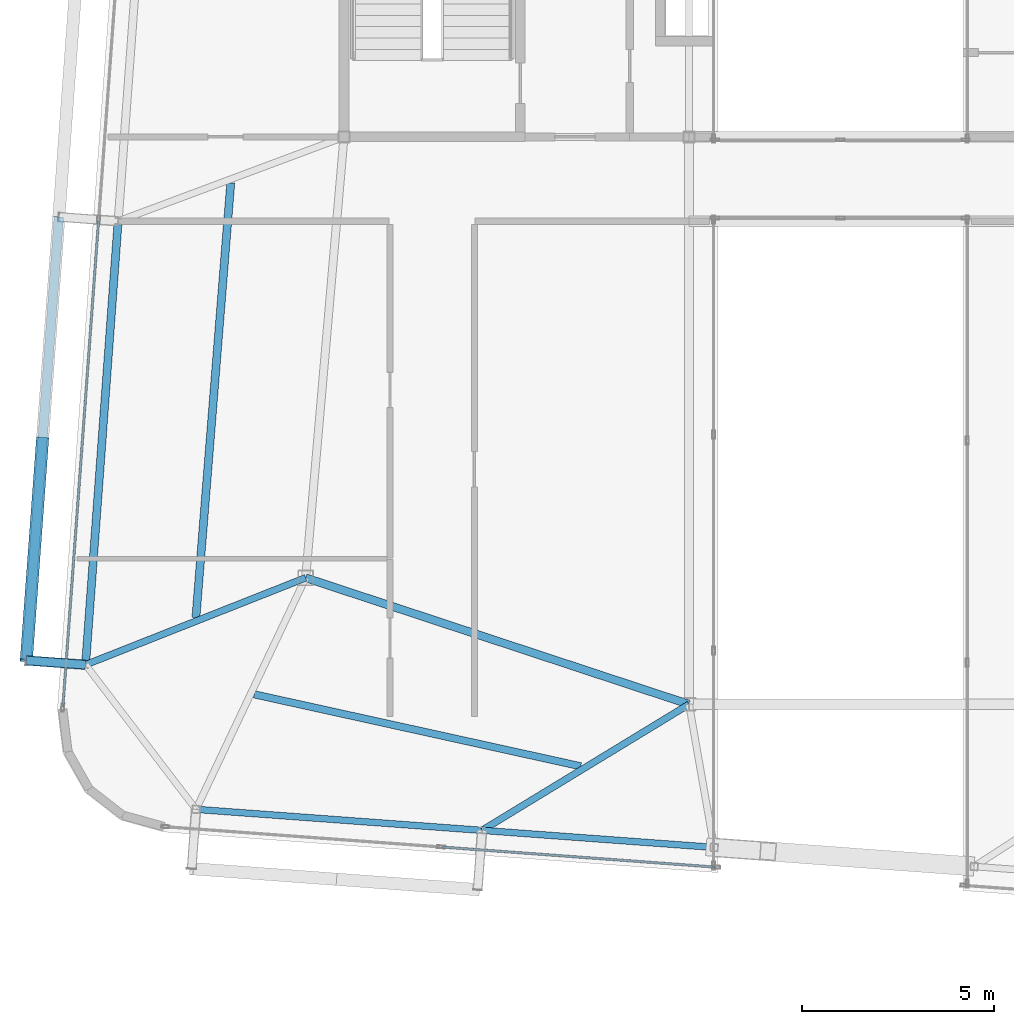
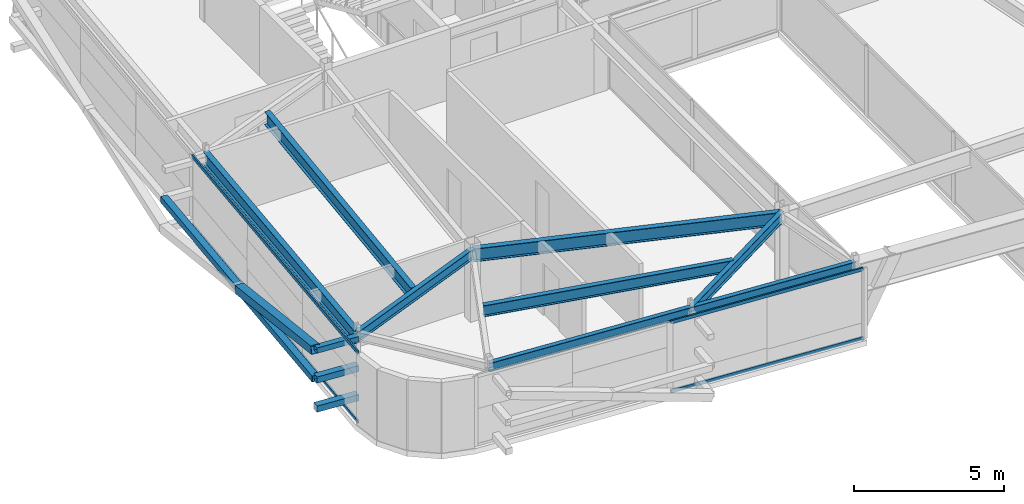
# One storey, part 10 of 40: 9 members, 8 beams, 2 elements without a shape of their own.
"""IFC4 building model written with IfcOpenShell, lengths in metres."""

from ifc_helpers import new_model, si_unit, direction, frame, origin, origin_2d, place, context, subcontext, project, spatial, hollow_rectangle, i_section, extrude, source, transform, mapped, material, layer, layer_set, material_profile, profile_set, type_object, element, aggregate, save


model = new_model("IFC4")

# Units and contexts
model_context = context("Model", 3, precision=1e-05, world=origin(), true_north=direction((0.0, 1.0)))
body_context = subcontext(model_context, "Body", "Model", "MODEL_VIEW")
ifc_project = project(units=[si_unit("LENGTHUNIT", "METRE"), si_unit("AREAUNIT", "SQUARE_METRE"), si_unit("VOLUMEUNIT", "CUBIC_METRE"), si_unit("PLANEANGLEUNIT", "RADIAN"), si_unit("MASSUNIT", "GRAM", prefix="KILO")], contexts=[model_context])

# Site, building, storey
site_placement = place(None, origin())
site = spatial("IfcSite", under=ifc_project, at=site_placement, CompositionType="ELEMENT")
building_placement = place(site_placement, origin())
building = spatial("IfcBuilding", under=site, at=building_placement, Name="Taldren Reach Tower", CompositionType="ELEMENT")
storey_placement = place(building_placement, frame((0.0, 0.0, 233.449951171875)))
storey = spatial("IfcBuildingStorey", under=building, at=storey_placement, Name="L71", CompositionType="ELEMENT", Elevation=233.449951171875)

# Beams
ifc_material_1 = material(Name="Steel Gr 350 (350PLUS)", Category="steel")
ifc_material_profile_1 = material_profile(ifc_material_1, i_section(OverallWidth=0.208984375, OverallDepth=0.532958984375, WebThickness=0.01025390625, FlangeThickness=0.015625, at=origin_2d()), Name="530UB92.4")
ifc_profile_set_1 = profile_set([ifc_material_profile_1], Name="Steel Gr 350 (350PLUS)")
beam_type_1 = type_object("IfcBeamType", Name="BM-UB530A", PredefinedType="BEAM", material=ifc_profile_set_1)
shared_shape_1 = source(origin(), body_context, "Body", "SweptSolid", [
    extrude(i_section(OverallWidth=0.208984375, OverallDepth=0.532958984375, WebThickness=0.01025390625, FlangeThickness=0.015625, at=origin_2d()), origin(), (0.0, 0.0, 1.0), 10.530517578125),
])
beam_1_placement = place(storey_placement, frame((18.0, 12.5, 2.603515625), z_axis=(0.949627269203, -0.313381635689, 0.0), x_axis=(0.313381635689, 0.949627269203, 0.0)))
element("IfcBeam", 1, at=beam_1_placement, inside=storey, type_object=beam_type_1, Name="Core-spine girder L71-SP10", PredefinedType="BEAM", context=body_context, shape_type="MappedRepresentation", body=[
    mapped(shared_shape_1, transform((0.0, 0.0, 0.0), scale=1.0)),
])
ifc_material_profile_2 = material_profile(ifc_material_1, i_section(OverallWidth=0.172119140625, OverallDepth=0.35888671875, WebThickness=0.008056640625, FlangeThickness=0.012939453125, at=origin_2d()), Name="360UB56.7")
ifc_profile_set_2 = profile_set([ifc_material_profile_2], Name="Steel Gr 350 (350PLUS)")
beam_type_2 = type_object("IfcBeamType", Name="SP-UB360", PredefinedType="SPANDREL", material=ifc_profile_set_2)
shared_shape_2 = source(origin(), body_context, "Body", "SweptSolid", [
    extrude(i_section(OverallWidth=0.172119140625, OverallDepth=0.35888671875, WebThickness=0.008056640625, FlangeThickness=0.012939453125, at=origin_2d()), origin(), (0.0, 0.0, 1.0), 7.47998046875),
])
beam_2_placement = place(storey_placement, frame((15.140625, 6.460205078125, 2.6904296875), z_axis=(0.997314220642, -0.07324169103, 0.0), x_axis=(0.07324169103, 0.997314220642, 0.0)))
element("IfcBeam", 2, at=beam_2_placement, inside=storey, type_object=beam_type_2, Name="Perimeter spandrel B5 S1-S2 L71", PredefinedType="SPANDREL", context=body_context, shape_type="MappedRepresentation", body=[
    mapped(shared_shape_2, transform((0.0, 0.0, 0.0), scale=1.0)),
])
shared_shape_3 = source(origin(), body_context, "Body", "SweptSolid", [
    extrude(i_section(OverallWidth=0.172119140625, OverallDepth=0.35888671875, WebThickness=0.008056640625, FlangeThickness=0.012939453125, at=origin_2d()), origin(), (0.0, 0.0, 1.0), 6.070068359375),
])
beam_3_placement = place(storey_placement, frame((22.6005859375, 5.912353515625, 2.6904296875), z_axis=(0.997314196413, -0.073242020958, 0.0), x_axis=(0.073242020958, 0.997314196413, 0.0)))
element("IfcBeam", 3, at=beam_3_placement, inside=storey, type_object=beam_type_2, Name="Perimeter spandrel B5 S2-PJ1 L71", PredefinedType="SPANDREL", context=body_context, shape_type="MappedRepresentation", body=[
    mapped(shared_shape_3, transform((0.0, 0.0, 0.0), scale=1.0)),
])
ifc_material_profile_3 = material_profile(ifc_material_1, i_section(OverallWidth=0.208984375, OverallDepth=0.528076171875, WebThickness=0.009521484375, FlangeThickness=0.01318359375, at=origin_2d()), Name="530UB82.0")
ifc_profile_set_3 = profile_set([ifc_material_profile_3], Name="Steel Gr 350 (350PLUS)")
beam_type_3 = type_object("IfcBeamType", Name="SP-UB530B", PredefinedType="SPANDREL", material=ifc_profile_set_3)
shared_shape_4 = source(origin(), body_context, "Body", "SweptSolid", [
    extrude(i_section(OverallWidth=0.208984375, OverallDepth=0.528076171875, WebThickness=0.009521484375, FlangeThickness=0.01318359375, at=origin_2d()), origin(), (0.0, 0.0, 1.0), 11.60009765625),
])
beam_4_placement = place(storey_placement, frame((13.108642578125, 21.80029296875, 2.60595703125), z_axis=(-0.073242167855, -0.997314185625, 0.0), x_axis=(0.997314185625, -0.073242167855, 0.0)))
element("IfcBeam", 4, at=beam_4_placement, inside=storey, type_object=beam_type_3, Name="Perimeter spandrel B5 W2-W1 L71", PredefinedType="SPANDREL", context=body_context, shape_type="MappedRepresentation", body=[
    mapped(shared_shape_4, transform((0.0, 0.0, 0.0), scale=1.0)),
])
ifc_material_profile_4 = material_profile(ifc_material_1, i_section(OverallWidth=0.177978515625, OverallDepth=0.406005859375, WebThickness=0.0078125, FlangeThickness=0.0126953125, at=origin_2d()), Name="410UB59.7")
ifc_profile_set_4 = profile_set([ifc_material_profile_4], Name="Steel Gr 350 (350PLUS)")
beam_type_4 = type_object("IfcBeamType", Name="BM-UB410", PredefinedType="BEAM", material=ifc_profile_set_4)
shared_shape_5 = source(origin(), body_context, "Body", "SweptSolid", [
    extrude(i_section(OverallWidth=0.177978515625, OverallDepth=0.406005859375, WebThickness=0.0078125, FlangeThickness=0.0126953125, at=origin_2d()), origin(), (0.0, 0.0, 1.0), 6.321533203125),
])
beam_5_placement = place(storey_placement, frame((28.0, 9.199951171875, 2.6669921875), z_axis=(-0.854128445192, -0.520062110823, 0.0), x_axis=(0.520062110823, -0.854128445192, 0.0)))
element("IfcBeam", 5, at=beam_5_placement, inside=storey, type_object=beam_type_4, Name="Primary floor girder B5-S2 L71", PredefinedType="BEAM", context=body_context, shape_type="MappedRepresentation", body=[
    mapped(shared_shape_5, transform((0.0, 0.0, 0.0), scale=1.0)),
])
shared_shape_6 = source(origin(), body_context, "Body", "SweptSolid", [
    extrude(i_section(OverallWidth=0.177978515625, OverallDepth=0.406005859375, WebThickness=0.0078125, FlangeThickness=0.0126953125, at=origin_2d()), origin(), (0.0, 0.0, 1.0), 6.1728515625),
])
beam_6_placement = place(storey_placement, frame((18.0, 12.5, 2.6669921875), z_axis=(-0.930023287794, -0.367500590695, 0.0), x_axis=(0.367500590695, -0.930023287794, 0.0)))
element("IfcBeam", 6, at=beam_6_placement, inside=storey, type_object=beam_type_4, Name="Primary floor girder B5-W1 L71", PredefinedType="BEAM", context=body_context, shape_type="MappedRepresentation", body=[
    mapped(shared_shape_6, transform((0.0, 0.0, 0.0), scale=1.0)),
])
ifc_material_profile_5 = material_profile(ifc_material_1, i_section(OverallWidth=0.19091796875, OverallDepth=0.4599609375, WebThickness=0.010009765625, FlangeThickness=0.01611328125, at=origin_2d()), Name="460UB82.1")
ifc_profile_set_5 = profile_set([ifc_material_profile_5], Name="Steel Gr 350 (350PLUS)")
beam_type_5 = type_object("IfcBeamType", Name="BM-UB460A", PredefinedType="BEAM", material=ifc_profile_set_5)
shared_shape_7 = source(origin(), body_context, "Body", "SweptSolid", [
    extrude(i_section(OverallWidth=0.19091796875, OverallDepth=0.4599609375, WebThickness=0.010009765625, FlangeThickness=0.01611328125, at=origin_2d()), origin(), (0.0, 0.0, 1.0), 8.719482421875),
])
beam_7_placement = place(storey_placement, frame((16.659423828125, 9.46044921875, 2.64013671875), z_axis=(0.976568964704, -0.2152046867, 0.0), x_axis=(0.2152046867, 0.976568964704, 0.0)))
element("IfcBeam", 7, at=beam_7_placement, inside=storey, type_object=beam_type_5, Name="Secondary floor beam B5 J1 L71", PredefinedType="BEAM", context=body_context, shape_type="MappedRepresentation", body=[
    mapped(shared_shape_7, transform((0.0, 0.0, 0.0), scale=1.0)),
])
shared_shape_8 = source(origin(), body_context, "Body", "SweptSolid", [
    extrude(i_section(OverallWidth=0.208984375, OverallDepth=0.532958984375, WebThickness=0.01025390625, FlangeThickness=0.015625, at=origin_2d()), origin(), (0.0, 0.0, 1.0), 11.3740234375),
])
beam_8_placement = place(storey_placement, frame((15.137451171875, 11.464599609375, 2.603515625), z_axis=(0.079913287803, 0.996801819036, 0.0), x_axis=(-0.996801819036, 0.079913287803, 0.0)))
element("IfcBeam", 8, at=beam_8_placement, inside=storey, type_object=beam_type_1, Name="Secondary floor beam B5 J6 L71", PredefinedType="BEAM", context=body_context, shape_type="MappedRepresentation", body=[
    mapped(shared_shape_8, transform((0.0, 0.0, 0.0), scale=1.0)),
])

# Members
ifc_material_2 = material(Name="Steel Gr 450 (C450L0)", Category="steel")
ifc_material_profile_6 = material_profile(ifc_material_2, hollow_rectangle(XDim=0.219970703125, YDim=0.219970703125, WallThickness=0.00830078125, at=origin_2d()), Name="220x220x8.2SHS")
ifc_profile_set_6 = profile_set([ifc_material_profile_6], Name="Steel Gr 450 (C450L0)")
member_type_1 = type_object("IfcMemberType", Name="MB-TIE219", PredefinedType="STRUT", material=ifc_profile_set_6)
shared_shape_9 = source(origin(), body_context, "Body", "SweptSolid", [
    extrude(hollow_rectangle(XDim=0.219970703125, YDim=0.219970703125, WallThickness=0.00830078125, at=origin_2d()), origin(), (0.0, 0.0, 1.0), 1.5458984375),
])
member_1_placement = place(storey_placement, frame((12.255126953125, 10.231689453125, 2.590087890625), z_axis=(-0.997311530447, 0.073278313559, 0.0), x_axis=(-0.073278313559, -0.997311530447, 0.0)))
element("IfcMember", 9, at=member_1_placement, inside=storey, type_object=member_type_1, Name="Exoskeleton diaphragm tie strut B5-W1 L71", PredefinedType="STRUT", context=body_context, shape_type="MappedRepresentation", body=[
    mapped(shared_shape_9, transform((0.0, 0.0, 0.0), scale=1.0)),
])
ifc_material_3 = material(Name="Steel Gr 350 (C350L0)", Category="steel")
ifc_material_profile_7 = material_profile(ifc_material_3, hollow_rectangle(XDim=0.25, YDim=0.25, WallThickness=0.010009765625, at=origin_2d()), Name="250x250x10.0SHS")
ifc_profile_set_7 = profile_set([ifc_material_profile_7], Name="Steel Gr 350 (C350L0)")
member_type_2 = type_object("IfcMemberType", Name="MB-POST250", PredefinedType="POST", material=ifc_profile_set_7)
shared_shape_10 = source(origin(), body_context, "Body", "SweptSolid", [
    extrude(hollow_rectangle(XDim=0.25, YDim=0.25, WallThickness=0.010009765625, at=origin_2d()), origin(), (0.0, 0.0, 1.0), 11.60009765625),
])
member_2_placement = place(storey_placement, frame((10.71337890625, 10.344970703125, 1.405029296875), z_axis=(0.073221234109, 0.997315722766, 0.0), x_axis=(-0.997315722766, 0.073221234109, 0.0)))
element("IfcMember", 10, at=member_2_placement, inside=storey, type_object=member_type_2, Name="Exoskeleton mid-height ring chord B5-W1 L71", PredefinedType="POST", context=body_context, shape_type="MappedRepresentation", body=[
    mapped(shared_shape_10, transform((0.0, 0.0, 0.0), scale=1.0)),
])
shared_shape_11 = source(origin(), body_context, "Body", "SweptSolid", [
    extrude(hollow_rectangle(XDim=0.25, YDim=0.25, WallThickness=0.010009765625, at=origin_2d()), origin(), (0.0, 0.0, 1.0), 1.5458984375),
])
for number, where, z_axis, x_axis, name in (
    (11, (12.255126953125, 10.231689453125, 0.219970703125), (-0.997311530447, 0.073278313559, 0.0), (-0.073278313559, -0.997311530447, 0.0), "Exoskeleton base diaphragm tie strut B5-W1 L71"),
    (12, (12.255126953125, 10.231689453125, 1.405029296875), (-0.997311530447, 0.073278313559, 0.0), (-0.073278313559, -0.997311530447, 0.0), "Exoskeleton mid-tier diaphragm tie B5-W1 L71"),
):
    element("IfcMember", number, at=place(storey_placement, frame(where, z_axis=z_axis, x_axis=x_axis)), inside=storey, type_object=member_type_2, Name=name, PredefinedType="POST", context=body_context, shape_type="MappedRepresentation", body=[
        mapped(shared_shape_11, transform((0.0, 0.0, 0.0), scale=1.0)),
    ])
ifc_material_profile_8 = material_profile(ifc_material_2, hollow_rectangle(XDim=0.324951171875, YDim=0.324951171875, WallThickness=0.0126953125, at=origin_2d()), Name="325x325x12.7SHS")
ifc_profile_set_8 = profile_set([ifc_material_profile_8], Name="Steel Gr 450 (C450L0)")
member_type_3 = type_object("IfcMemberType", Name="MB-BR324", PredefinedType="BRACE", material=ifc_profile_set_8)
shared_shape_12 = source(origin(), body_context, "Body", "SweptSolid", [
    extrude(hollow_rectangle(XDim=0.324951171875, YDim=0.324951171875, WallThickness=0.0126953125, at=origin_2d()), origin(), (0.0, 0.0, 1.0), 5.919921875),
])
member_3_placement = place(storey_placement, frame((11.137939453125, 16.12939453125, 1.405029296875), z_axis=(-0.071718585697, -0.977129643997, 0.200185172497), x_axis=(0.997317259472, -0.073200300267, 0.0)))
element("IfcMember", 13, at=member_3_placement, inside=storey, type_object=member_type_3, Name="Exoskeleton Diagrid Brace B5-W1 L71", PredefinedType="BRACE", context=body_context, shape_type="MappedRepresentation", body=[
    mapped(shared_shape_12, transform((0.0, 0.0, 0.0), scale=1.0)),
])

# Curtain wall, members
ifc_material_4 = material(Name="Aluminium and Low-E Glass Unitised System", Category="aluminium")
ifc_layer = layer(ifc_material_4, 0.159912109375)
ifc_layer_set = layer_set([ifc_layer], Name="Aluminium and Low-E Glass Unitised System")
curtain_wall_type = type_object("IfcCurtainWallType", Name="CW-SYS-7", PredefinedType="NOTDEFINED", material=ifc_layer_set)
curtain_wall_1_placement = place(storey_placement, origin())
curtain_wall_1 = element("IfcCurtainWall", 14, at=curtain_wall_1_placement, inside=storey, type_object=curtain_wall_type, Name="Unitised curtain wall CW-L71-W", PredefinedType="NOTDEFINED")
ifc_material_5 = material(Name="Anodised Aluminium 6063-T6", Category="aluminium")
ifc_material_profile_9 = material_profile(ifc_material_5, hollow_rectangle(XDim=0.06005859375, YDim=0.135009765625, WallThickness=0.00341796875, at=origin_2d()), Name="ALU-135x60x3.5RHS")
ifc_profile_set_9 = profile_set([ifc_material_profile_9], Name="Anodised Aluminium 6063-T6")
member_type_4 = type_object("IfcMemberType", Name="CW-TRN-150", PredefinedType="USERDEFINED", material=ifc_profile_set_9)
shared_shape_13 = source(origin(), body_context, "Body", "SweptSolid", [
    extrude(hollow_rectangle(XDim=0.06005859375, YDim=0.135009765625, WallThickness=0.00341796875, at=origin_2d()), origin(), (0.0, 0.0, 1.0), 12.687744140625),
])
member_4_placement = place(storey_placement, frame((12.597412109375, 21.80029296875, 0.030029296875), z_axis=(-0.073236592425, -0.997314595065, 0.0), x_axis=(0.997314595065, -0.073236592425, 0.0)))
member_4 = element("IfcMember", 15, at=member_4_placement, type_object=member_type_4, Name="CW-7 transom 2.1", ObjectType="TRANSOM", PredefinedType="USERDEFINED", context=body_context, shape_type="MappedRepresentation", body=[
    mapped(shared_shape_13, transform((0.0, 0.0, 0.0), scale=1.0)),
])
member_5_placement = place(storey_placement, frame((12.597412109375, 21.80029296875, 2.840087890625), z_axis=(-0.073236592425, -0.997314595065, 0.0), x_axis=(0.997314595065, -0.073236592425, 0.0)))
member_5 = element("IfcMember", 16, at=member_5_placement, type_object=member_type_4, Name="CW-7 transom 2.2", ObjectType="TRANSOM", PredefinedType="USERDEFINED", context=body_context, shape_type="MappedRepresentation", body=[
    mapped(shared_shape_13, transform((0.0, 0.0, 0.0), scale=1.0)),
])
aggregate(curtain_wall_1, [member_4, member_5])

curtain_wall_2_placement = place(storey_placement, origin())
curtain_wall_2 = element("IfcCurtainWall", 17, at=curtain_wall_2_placement, inside=storey, type_object=curtain_wall_type, Name="Unitised curtain wall CW-L71-SWING", PredefinedType="NOTDEFINED")
shared_shape_14 = source(origin(), body_context, "Body", "SweptSolid", [
    extrude(hollow_rectangle(XDim=0.06005859375, YDim=0.135009765625, WallThickness=0.00341796875, at=origin_2d()), origin(), (0.0, 0.0, 1.0), 7.129150390625),
])
member_6_placement = place(storey_placement, frame((21.565185546875, 5.47705078125, 0.030029296875), z_axis=(0.997313625299, -0.073249797223, 0.0), x_axis=(0.073249797223, 0.997313625299, 0.0)))
member_6 = element("IfcMember", 18, at=member_6_placement, type_object=member_type_4, Name="CW-7 transom 2.1", ObjectType="TRANSOM", PredefinedType="USERDEFINED", context=body_context, shape_type="MappedRepresentation", body=[
    mapped(shared_shape_14, transform((0.0, 0.0, 0.0), scale=1.0)),
])
member_7_placement = place(storey_placement, frame((21.565185546875, 5.47705078125, 2.840087890625), z_axis=(0.997313625299, -0.073249797223, 0.0), x_axis=(0.073249797223, 0.997313625299, 0.0)))
member_7 = element("IfcMember", 19, at=member_7_placement, type_object=member_type_4, Name="CW-7 transom 2.2", ObjectType="TRANSOM", PredefinedType="USERDEFINED", context=body_context, shape_type="MappedRepresentation", body=[
    mapped(shared_shape_14, transform((0.0, 0.0, 0.0), scale=1.0)),
])
aggregate(curtain_wall_2, [member_6, member_7])

save(model, "model.ifc")
